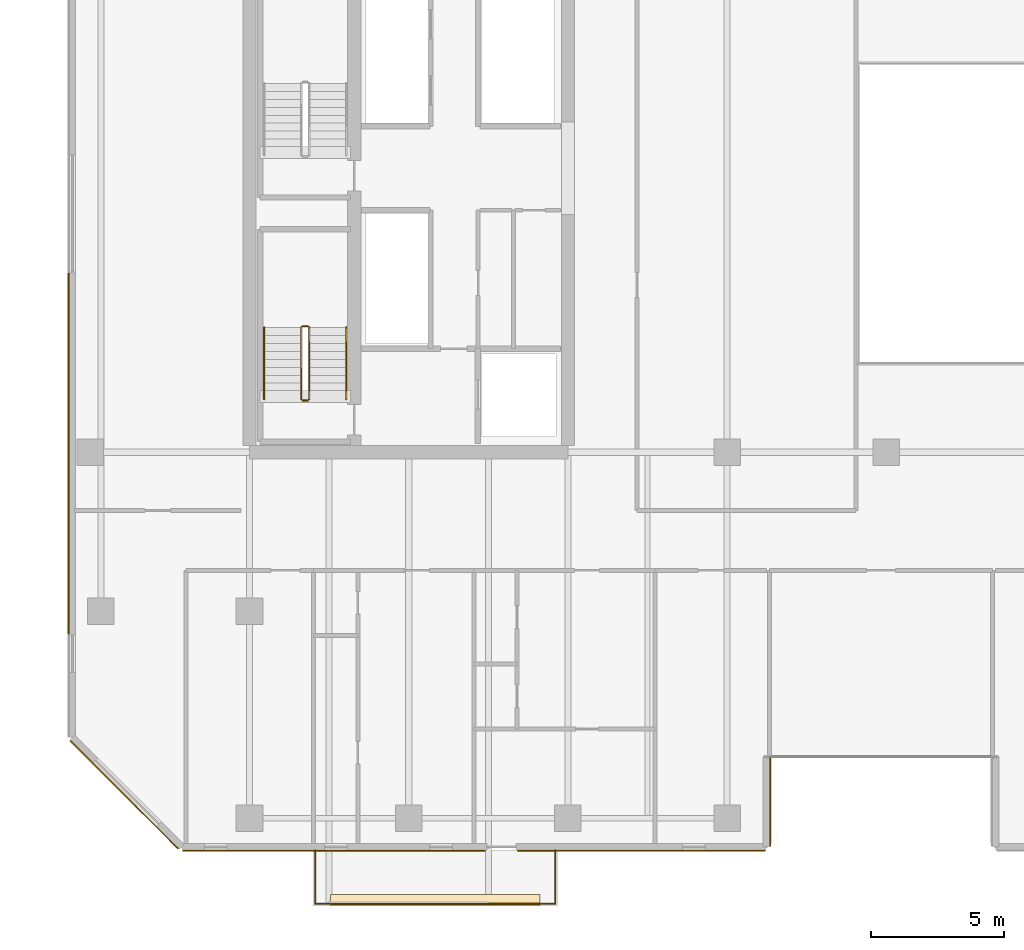
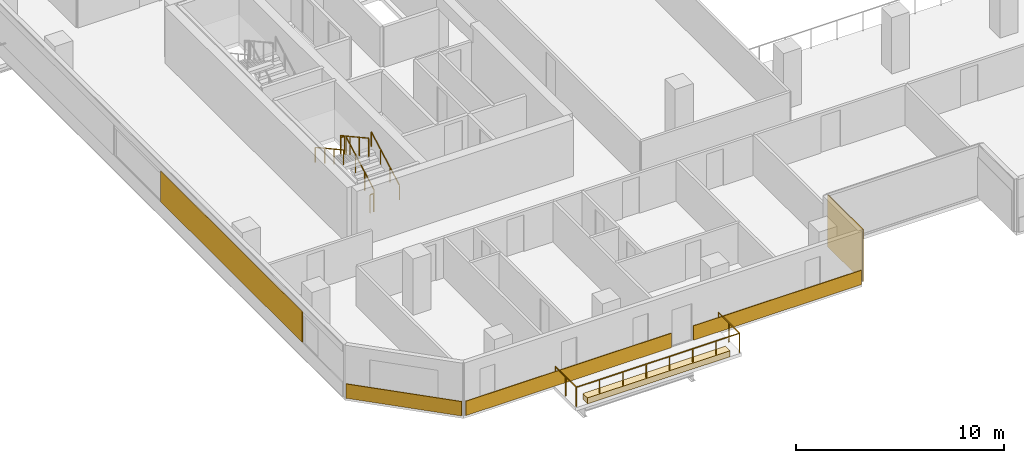
# One storey, part 18 of 23: 7 railings, 6 coverings.
"""IFC4 building model written with IfcOpenShell, lengths in metres."""

from ifc_helpers import new_model, si_unit, direction, frame, origin, origin_2d, place, context, subcontext, project, spatial, polyline, rectangle, outline, extrude, material, layer, layer_set, type_object, element, save


model = new_model("IFC4")

# Units and contexts
model_context = context("Model", 3, precision=1e-05, world=origin(), true_north=direction((0.0, 1.0)))
body_context = subcontext(model_context, "Body", "Model", "MODEL_VIEW")
ifc_project = project(units=[si_unit("LENGTHUNIT", "METRE"), si_unit("AREAUNIT", "SQUARE_METRE"), si_unit("VOLUMEUNIT", "CUBIC_METRE"), si_unit("PLANEANGLEUNIT", "RADIAN"), si_unit("MASSUNIT", "GRAM", prefix="KILO")], contexts=[model_context])

# Site, building, storey
site_placement = place(None, origin())
site = spatial("IfcSite", under=ifc_project, at=site_placement, CompositionType="ELEMENT")
building_placement = place(site_placement, origin())
building = spatial("IfcBuilding", under=site, at=building_placement, Name="Tanjung Sevakor Pilgrim Tower", CompositionType="ELEMENT")
storey_placement = place(building_placement, frame((0.0, 0.0, 82.169921875)))
storey = spatial("IfcBuildingStorey", under=building, at=storey_placement, Name="L22", CompositionType="ELEMENT", Elevation=82.169921875)

# Coverings
ifc_material_1 = material(Name="Reconstructed Limestone Cladding", Category="masonry")
ifc_layer_1 = layer(ifc_material_1, 0.044921875)
ifc_layer_set_1 = layer_set([ifc_layer_1], Name="COV-CLAD-LIMESTONE")
covering_type_1 = type_object("IfcCoveringType", Name="COV-CLAD-LIMESTONE", PredefinedType="CLADDING", material=ifc_layer_set_1)
covering_1_placement = place(storey_placement, frame((27.19091796875, 9.577392578125, 0.01025390625), z_axis=(0.0, 0.0, 1.0), x_axis=(1.0, 0.0, 0.0)))
element("IfcCovering", 1, at=covering_1_placement, inside=storey, type_object=covering_type_1, Name="L22 Warm Limestone Sill Spandrel EW-L22-MAIN-1-1", PredefinedType="CLADDING", context=body_context, shape_type="SweptSolid", body=[
    extrude(rectangle(XDim=11.398193359375, YDim=0.044921875, at=origin_2d()), origin(), (0.0, 0.0, 1.0), 0.840087890625),
])
covering_2_placement = place(storey_placement, frame((38.7724609375, 9.577392578125, 0.01025390625), z_axis=(0.0, 0.0, 1.0), x_axis=(1.0, 0.0, 0.0)))
element("IfcCovering", 2, at=covering_2_placement, inside=storey, type_object=covering_type_1, Name="L22 Warm Limestone Sill Spandrel EW-L22-MAIN-1-2", PredefinedType="CLADDING", context=body_context, shape_type="SweptSolid", body=[
    extrude(rectangle(XDim=9.324951171875, YDim=0.044921875, at=origin_2d()), origin(), (0.0, 0.0, 1.0), 0.840087890625),
])
covering_3_placement = place(storey_placement, frame((43.62255859375, 11.425048828125, 0.02001953125), z_axis=(0.0, 0.0, 1.0), x_axis=(0.0, 1.0, 0.0)))
element("IfcCovering", 3, at=covering_3_placement, inside=storey, type_object=covering_type_1, Name="L22 Warm Limestone Wall Cladding EW-L22-MAIN-2", PredefinedType="CLADDING", context=body_context, shape_type="SweptSolid", body=[
    extrude(rectangle(XDim=3.360107421875, YDim=0.044921875, at=origin_2d()), origin(), (0.0, 0.0, 1.0), 3.0400390625),
])
covering_4_placement = place(storey_placement, frame((17.177490234375, 24.552978515625, 0.85009765625), z_axis=(0.0, 0.0, 1.0), x_axis=(0.0, -1.0, 0.0)))
element("IfcCovering", 4, at=covering_4_placement, inside=storey, type_object=covering_type_1, Name="L22 Warm Limestone Pier Panel EW-L22-MAIN-15-2", PredefinedType="CLADDING", context=body_context, shape_type="SweptSolid", body=[
    extrude(rectangle(XDim=13.593994140625, YDim=0.044921875, at=origin_2d()), origin(), (0.0, 0.0, 1.0), 1.81005859375),
])
covering_5_placement = place(storey_placement, frame((19.2841796875, 11.68408203125, 0.01025390625), z_axis=(0.0, 0.0, 1.0), x_axis=(0.707106781187, -0.707106781187, 0.0)))
element("IfcCovering", 5, at=covering_5_placement, inside=storey, type_object=covering_type_1, Name="L22 Warm Limestone Sill Spandrel EW-CHM-L22-MAIN-15-1", PredefinedType="CLADDING", context=body_context, shape_type="SweptSolid", body=[
    extrude(rectangle(XDim=5.756103515625, YDim=0.044921875, at=origin_2d()), origin(), (0.0, 0.0, 1.0), 0.840087890625),
])
ifc_material_2 = material(Name="Vegetated Modular Planter Assembly", Category="organic")
ifc_layer_2 = layer(ifc_material_2, 0.35009765625)
ifc_layer_set_2 = layer_set([ifc_layer_2], Name="COV-GRN-TROUGH")
covering_type_2 = type_object("IfcCoveringType", Name="COV-GRN-TROUGH", PredefinedType="CLADDING", material=ifc_layer_set_2)
covering_6_placement = place(storey_placement, origin())
element("IfcCovering", 6, at=covering_6_placement, inside=storey, type_object=covering_type_2, Name="L22 Planted Landscape Hedge Trough BGRN-L22-MAIN-S1", PredefinedType="CLADDING", context=body_context, shape_type="SweptSolid", body=[
    extrude(outline(polyline([(27.050048828125, 7.5), (34.949951171875, 7.5), (34.949951171875, 7.93994140625), (27.050048828125, 7.93994140625), (27.050048828125, 7.5)])), origin(), (0.0, 0.0, 1.0), 0.35009765625),
])

# Railings
ifc_material_3 = material(Name="Laminated Glass and Aluminium", Category="aluminium")
railing_type_1 = type_object("IfcRailingType", Name="RL-BAL-BALUST", PredefinedType="BALUSTRADE", material=ifc_material_3)
railing_1_placement = place(storey_placement, frame((26.47998046875, 9.60009765625, 0.0)))
element("IfcRailing", 7, at=railing_1_placement, inside=storey, type_object=railing_type_1, Name="L22 Loggia Balustrade MAIN-S1", PredefinedType="BALUSTRADE", context=body_context, shape_type="SweptSolid", body=[
    extrude(rectangle(XDim=0.0479, YDim=0.0479), frame((0.0, 0.0, 1.1259765625), z_axis=(0.0, -1.0, 0.0), x_axis=(1.0, 0.0, 0.0)), (0.0, 0.0, 1.0), 2.02001953125),
    extrude(rectangle(XDim=0.0479, YDim=0.0479), frame((0.0, -2.02001953125, 1.1259765625), z_axis=(1.0, 0.0, 0.0), x_axis=(0.0, 1.0, 0.0)), (0.0, 0.0, 1.0), 9.0400390625),
    extrude(rectangle(XDim=0.0479, YDim=0.0479), frame((9.0400390625, -2.02001953125, 1.1259765625), z_axis=(0.0, 1.0, 0.0), x_axis=(-1.0, 0.0, 0.0)), (0.0, 0.0, 1.0), 2.02001953125),
    extrude(rectangle(XDim=0.042, YDim=0.042), origin(), (0.0, 0.0, 1.0), 1.101806640625),
    extrude(rectangle(XDim=0.042, YDim=0.042), frame((0.0, -1.010009765625, 0.0)), (0.0, 0.0, 1.0), 1.101806640625),
    extrude(rectangle(XDim=0.042, YDim=0.042), frame((0.0, -2.02001953125, 0.0)), (0.0, 0.0, 1.0), 1.101806640625),
    extrude(rectangle(XDim=0.042, YDim=0.042), frame((1.29150390625, -2.02001953125, 0.0)), (0.0, 0.0, 1.0), 1.101806640625),
    extrude(rectangle(XDim=0.042, YDim=0.042), frame((2.582763671875, -2.02001953125, 0.0)), (0.0, 0.0, 1.0), 1.101806640625),
    extrude(rectangle(XDim=0.042, YDim=0.042), frame((3.874267578125, -2.02001953125, 0.0)), (0.0, 0.0, 1.0), 1.101806640625),
    extrude(rectangle(XDim=0.042, YDim=0.042), frame((5.165771484375, -2.02001953125, 0.0)), (0.0, 0.0, 1.0), 1.101806640625),
    extrude(rectangle(XDim=0.042, YDim=0.042), frame((6.457275390625, -2.02001953125, 0.0)), (0.0, 0.0, 1.0), 1.101806640625),
    extrude(rectangle(XDim=0.042, YDim=0.042), frame((7.74853515625, -2.02001953125, 0.0)), (0.0, 0.0, 1.0), 1.101806640625),
    extrude(rectangle(XDim=0.042, YDim=0.042), frame((9.0400390625, -2.02001953125, 0.0)), (0.0, 0.0, 1.0), 1.101806640625),
    extrude(rectangle(XDim=0.042, YDim=0.042), frame((9.0400390625, -1.010009765625, 0.0)), (0.0, 0.0, 1.0), 1.101806640625),
    extrude(rectangle(XDim=0.042, YDim=0.042), frame((9.0400390625, 0.0, 0.0)), (0.0, 0.0, 1.0), 1.101806640625),
])
ifc_material_4 = material(Name="Steel S355J2", Category="steel")
railing_type_2 = type_object("IfcRailingType", Name="RL-STAIR-GUARD", PredefinedType="GUARDRAIL", material=ifc_material_4)
railing_2_placement = place(storey_placement, frame((26.25, 26.60009765625, 0.1650390625)))
element("IfcRailing", 8, at=railing_2_placement, inside=storey, type_object=railing_type_2, Name="L22 TS-W1 stair guard 1", PredefinedType="GUARDRAIL", context=body_context, shape_type="SweptSolid", body=[
    extrude(rectangle(XDim=0.0479, YDim=0.0479), frame((0.0, 0.0, 1.076171875), z_axis=(0.0, 0.876197507361, 0.481952205197), x_axis=(-1.0, 0.0, 0.0)), (0.0, 0.0, 1.0), 3.08154296875),
    extrude(rectangle(XDim=0.042, YDim=0.042), origin(), (0.0, 0.0, 1.0), 1.052001953125),
    extrude(rectangle(XDim=0.042, YDim=0.042), frame((0.0, 0.89990234375, 0.4951171875)), (0.0, 0.0, 1.0), 1.052001953125),
    extrude(rectangle(XDim=0.042, YDim=0.042), frame((0.0, 1.800048828125, 0.989990234375)), (0.0, 0.0, 1.0), 1.052001953125),
    extrude(rectangle(XDim=0.042, YDim=0.042), frame((0.0, 2.699951171875, 1.485107421875)), (0.0, 0.0, 1.0), 1.052001953125),
])
railing_3_placement = place(storey_placement, frame((26.199951171875, 29.35009765625, 1.650146484375)))
element("IfcRailing", 9, at=railing_3_placement, inside=storey, type_object=railing_type_2, Name="L22 TS-W1 stair guard 2", PredefinedType="GUARDRAIL", context=body_context, shape_type="SweptSolid", body=[
    extrude(rectangle(XDim=0.0479, YDim=0.0479), frame((0.0, 0.0, 1.076171875), z_axis=(-1.0, 0.0, 0.0), x_axis=(0.0, -1.0, 0.0)), (0.0, 0.0, 1.0), 0.199951171875),
    extrude(rectangle(XDim=0.042, YDim=0.042), origin(), (0.0, 0.0, 1.0), 1.052001953125),
    extrude(rectangle(XDim=0.042, YDim=0.042), frame((-0.199951171875, 0.0, 0.0)), (0.0, 0.0, 1.0), 1.052001953125),
])
railing_4_placement = place(storey_placement, frame((25.949951171875, 29.300048828125, 1.815185546875)))
element("IfcRailing", 10, at=railing_4_placement, inside=storey, type_object=railing_type_2, Name="L22 TS-W1 stair guard 3", PredefinedType="GUARDRAIL", context=body_context, shape_type="SweptSolid", body=[
    extrude(rectangle(XDim=0.0479, YDim=0.0479), frame((0.0, 0.0, 1.076171875), z_axis=(0.0, -0.876230963923, 0.481891375584), x_axis=(1.0, 0.0, 0.0)), (0.0, 0.0, 1.0), 3.081298828125),
    extrude(rectangle(XDim=0.042, YDim=0.042), origin(), (0.0, 0.0, 1.0), 1.052001953125),
    extrude(rectangle(XDim=0.042, YDim=0.042), frame((0.0, -0.89990234375, 0.494873046875)), (0.0, 0.0, 1.0), 1.052001953125),
    extrude(rectangle(XDim=0.042, YDim=0.042), frame((0.0, -1.800048828125, 0.989990234375)), (0.0, 0.0, 1.0), 1.052001953125),
    extrude(rectangle(XDim=0.042, YDim=0.042), frame((0.0, -2.699951171875, 1.48486328125)), (0.0, 0.0, 1.0), 1.052001953125),
])
railing_5_placement = place(storey_placement, frame((26.199951171875, 26.550048828125, 0.0)))
element("IfcRailing", 11, at=railing_5_placement, inside=storey, type_object=railing_type_2, Name="L22 TS-W1 stair guard 4", PredefinedType="GUARDRAIL", context=body_context, shape_type="SweptSolid", body=[
    extrude(rectangle(XDim=0.0479, YDim=0.0479), frame((0.0, 0.0, 1.076171875), z_axis=(-1.0, 0.0, 0.0), x_axis=(0.0, -1.0, 0.0)), (0.0, 0.0, 1.0), 0.199951171875),
    extrude(rectangle(XDim=0.042, YDim=0.042), origin(), (0.0, 0.0, 1.0), 1.052001953125),
    extrude(rectangle(XDim=0.042, YDim=0.042), frame((-0.199951171875, 0.0, 0.0)), (0.0, 0.0, 1.0), 1.052001953125),
])
ifc_material_5 = material(Name="Steel S355J2", Category="steel")
railing_type_3 = type_object("IfcRailingType", Name="RL-STAIR-HAND", PredefinedType="HANDRAIL", material=ifc_material_5)
railing_6_placement = place(storey_placement, frame((27.64990234375, 26.60009765625, 0.1650390625)))
element("IfcRailing", 12, at=railing_6_placement, inside=storey, type_object=railing_type_3, Name="L22 TS-W1 stair handrail 1", PredefinedType="HANDRAIL", context=body_context, shape_type="SweptSolid", body=[
    extrude(rectangle(XDim=0.0479, YDim=0.0479), frame((0.0, 0.0, 0.8759765625), z_axis=(0.0, 0.876197507361, 0.481952205197), x_axis=(-1.0, 0.0, 0.0)), (0.0, 0.0, 1.0), 3.08154296875),
    extrude(rectangle(XDim=0.042, YDim=0.042), origin(), (0.0, 0.0, 1.0), 0.851806640625),
    extrude(rectangle(XDim=0.042, YDim=0.042), frame((0.0, 0.89990234375, 0.4951171875)), (0.0, 0.0, 1.0), 0.851806640625),
    extrude(rectangle(XDim=0.042, YDim=0.042), frame((0.0, 1.800048828125, 0.989990234375)), (0.0, 0.0, 1.0), 0.851806640625),
    extrude(rectangle(XDim=0.042, YDim=0.042), frame((0.0, 2.699951171875, 1.485107421875)), (0.0, 0.0, 1.0), 0.851806640625),
])
railing_7_placement = place(storey_placement, frame((24.550048828125, 29.300048828125, 1.815185546875)))
element("IfcRailing", 13, at=railing_7_placement, inside=storey, type_object=railing_type_3, Name="L22 TS-W1 stair handrail 2", PredefinedType="HANDRAIL", context=body_context, shape_type="SweptSolid", body=[
    extrude(rectangle(XDim=0.0479, YDim=0.0479), frame((0.0, 0.0, 0.8759765625), z_axis=(0.0, -0.876230963923, 0.481891375584), x_axis=(1.0, 0.0, 0.0)), (0.0, 0.0, 1.0), 3.081298828125),
    extrude(rectangle(XDim=0.042, YDim=0.042), origin(), (0.0, 0.0, 1.0), 0.851806640625),
    extrude(rectangle(XDim=0.042, YDim=0.042), frame((0.0, -0.89990234375, 0.494873046875)), (0.0, 0.0, 1.0), 0.851806640625),
    extrude(rectangle(XDim=0.042, YDim=0.042), frame((0.0, -1.800048828125, 0.989990234375)), (0.0, 0.0, 1.0), 0.851806640625),
    extrude(rectangle(XDim=0.042, YDim=0.042), frame((0.0, -2.699951171875, 1.48486328125)), (0.0, 0.0, 1.0), 0.851806640625),
])

save(model, "model.ifc")
